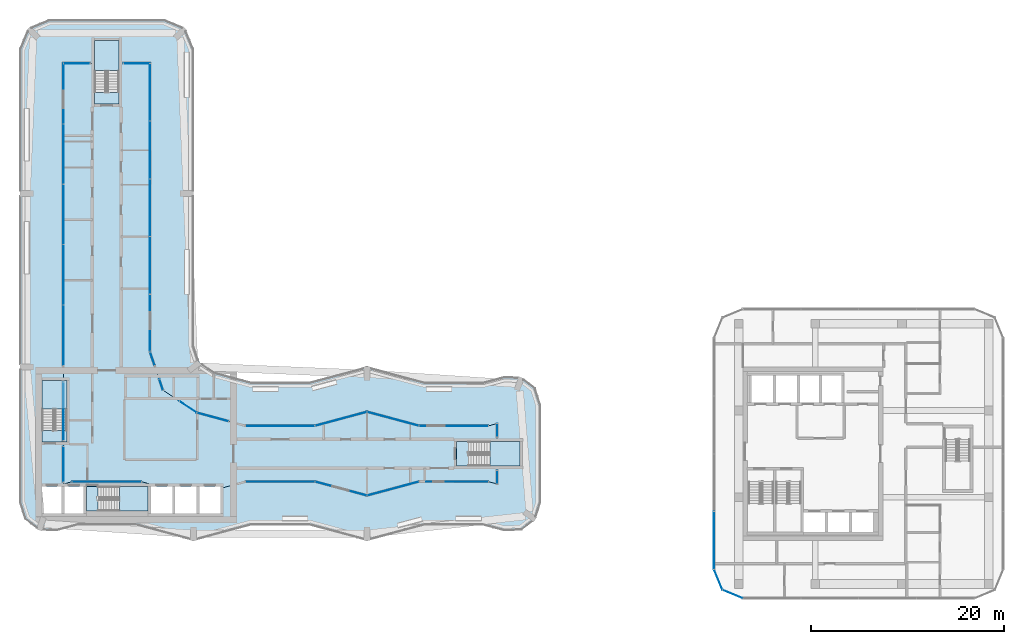
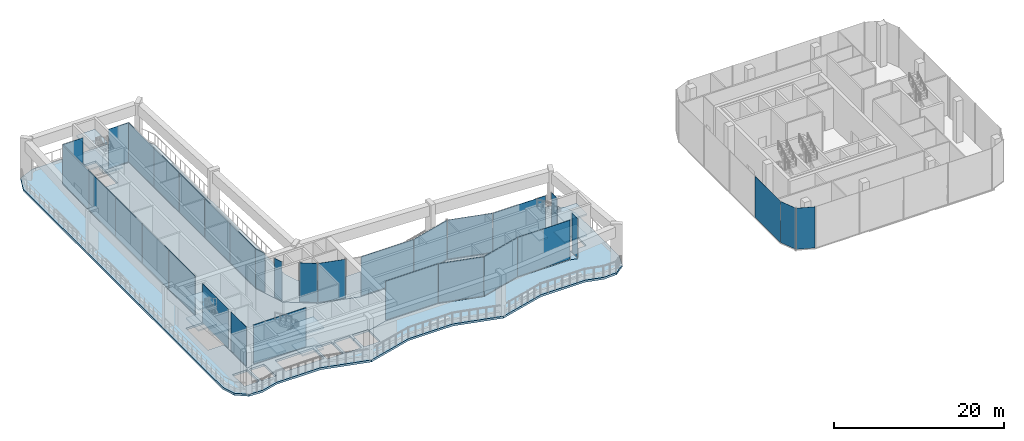
# One storey, part 12 of 24: 32 plates, 14 slabs, 28 elements without a shape of their own.
"""IFC4 building model written with IfcOpenShell, lengths in metres."""

from ifc_helpers import new_model, si_unit, direction, frame, origin, origin_2d, place, context, subcontext, project, spatial, polyline, rectangle, outline, extrude, material, layer, layer_set, type_object, element, aggregate, save


model = new_model("IFC4")

# Units and contexts
model_context = context("Model", 3, precision=1e-05, world=origin(), true_north=direction((0.0, 1.0)))
body_context = subcontext(model_context, "Body", "Model", "MODEL_VIEW")
ifc_project = project(units=[si_unit("LENGTHUNIT", "METRE"), si_unit("AREAUNIT", "SQUARE_METRE"), si_unit("VOLUMEUNIT", "CUBIC_METRE"), si_unit("PLANEANGLEUNIT", "RADIAN"), si_unit("MASSUNIT", "GRAM", prefix="KILO")], contexts=[model_context])

# Site, building, storey
site_placement = place(None, origin())
site = spatial("IfcSite", under=ifc_project, at=site_placement, CompositionType="ELEMENT")
building_placement = place(site_placement, origin())
building = spatial("IfcBuilding", under=site, at=building_placement, Name="Plateau Cross Towers", CompositionType="ELEMENT")
storey_placement = place(building_placement, frame((0.0, 0.0, 72.300048828125)))
storey = spatial("IfcBuildingStorey", under=building, at=storey_placement, Name="L18", CompositionType="ELEMENT", Elevation=72.300048828125)

# Curtain wall, plate
ifc_material_1 = material(Name="Dark low-iron glass", Category="glass")
ifc_layer_1 = layer(ifc_material_1, 0.239990234375)
ifc_layer_set_1 = layer_set([ifc_layer_1], Name="Dark low-iron glass")
curtain_wall_type_1 = type_object("IfcCurtainWallType", Name="Curtain wall office unitised CW-F", PredefinedType="NOTDEFINED", material=ifc_layer_set_1)
curtain_wall_1_placement = place(storey_placement, origin())
curtain_wall_1 = element("IfcCurtainWall", 1, at=curtain_wall_1_placement, inside=storey, type_object=curtain_wall_type_1, Name="ENV/B/L18/B720_210", PredefinedType="NOTDEFINED")
ifc_layer_2 = layer(ifc_material_1, 0.028076171875)
ifc_layer_set_2 = layer_set([ifc_layer_2], Name="Dark low-iron glass")
plate_type_1 = type_object("IfcPlateType", Name="Glass panel 28 office unitised", PredefinedType="CURTAIN_PANEL", material=ifc_layer_set_2)
plate_1_placement = place(storey_placement, frame((72.0, 0.0, -0.18017578125), z_axis=(0.0, 0.0, 1.0), x_axis=(0.0, -1.0, 0.0)))
plate_1 = element("IfcPlate", 2, at=plate_1_placement, type_object=plate_type_1, Name="CW-F panel 4", PredefinedType="CURTAIN_PANEL", context=body_context, shape_type="SweptSolid", body=[
    extrude(rectangle(XDim=5.93994140625, YDim=0.028076171875, at=origin_2d()), origin(), (0.0, 0.0, 1.0), 5.929931640625),
])
aggregate(curtain_wall_1, [plate_1])

curtain_wall_2_placement = place(storey_placement, origin())
curtain_wall_2 = element("IfcCurtainWall", 3, at=curtain_wall_2_placement, inside=storey, type_object=curtain_wall_type_1, Name="ENV/B/L18/B720_-30", PredefinedType="NOTDEFINED")
plate_2_placement = place(storey_placement, frame((72.439453125, -4.060546875, -0.18017578125), z_axis=(0.0, 0.0, 1.0), x_axis=(0.382683612978, -0.923879457699, 0.0)))
plate_2 = element("IfcPlate", 4, at=plate_2_placement, type_object=plate_type_1, Name="CW-F panel 1", PredefinedType="CURTAIN_PANEL", context=body_context, shape_type="SweptSolid", body=[
    extrude(rectangle(XDim=2.236083984375, YDim=0.028076171875, at=origin_2d()), origin(), (0.0, 0.0, 1.0), 5.929931640625),
])
aggregate(curtain_wall_2, [plate_2])

curtain_wall_3_placement = place(storey_placement, origin())
curtain_wall_3 = element("IfcCurtainWall", 5, at=curtain_wall_3_placement, inside=storey, type_object=curtain_wall_type_1, Name="ENV/B/L18/B729_-51", PredefinedType="NOTDEFINED")
plate_3_placement = place(storey_placement, frame((73.939453125, -5.560546875, -0.18017578125), z_axis=(0.0, 0.0, 1.0), x_axis=(0.923879457699, -0.382683612978, 0.0)))
plate_3 = element("IfcPlate", 6, at=plate_3_placement, type_object=plate_type_1, Name="CW-F panel 1", PredefinedType="CURTAIN_PANEL", context=body_context, shape_type="SweptSolid", body=[
    extrude(rectangle(XDim=2.236083984375, YDim=0.028076171875, at=origin_2d()), origin(), (0.0, 0.0, 1.0), 5.929931640625),
])
aggregate(curtain_wall_3, [plate_3])

ifc_layer_3 = layer(ifc_material_1, 0.239990234375)
ifc_layer_set_3 = layer_set([ifc_layer_3], Name="Dark low-iron glass")
curtain_wall_type_2 = type_object("IfcCurtainWallType", Name="Curtain wall flush unitised CW-B", PredefinedType="NOTDEFINED", material=ifc_layer_set_3)
curtain_wall_4_placement = place(storey_placement, origin())
curtain_wall_4 = element("IfcCurtainWall", 7, at=curtain_wall_4_placement, inside=storey, type_object=curtain_wall_type_2, Name="ENV/A/L18/inner0_45_60", PredefinedType="NOTDEFINED")
ifc_layer_4 = layer(ifc_material_1, 0.031982421875)
ifc_layer_set_4 = layer_set([ifc_layer_4], Name="Dark low-iron glass")
plate_type_2 = type_object("IfcPlateType", Name="Glass panel 32 flush unitised", PredefinedType="CURTAIN_PANEL", material=ifc_layer_set_4)
plate_4_placement = place(storey_placement, frame((4.5, 7.89990234375, 0.1201171875), z_axis=(0.0, 0.0, 1.0), x_axis=(0.0, 1.0, 0.0)))
plate_4 = element("IfcPlate", 8, at=plate_4_placement, type_object=plate_type_2, Name="CW-B panel 1", PredefinedType="CURTAIN_PANEL", context=body_context, shape_type="SweptSolid", body=[
    extrude(rectangle(XDim=3.639892578125, YDim=0.031982421875, at=origin_2d()), origin(), (0.0, 0.0, 1.0), 5.6298828125),
])
aggregate(curtain_wall_4, [plate_4])

curtain_wall_5_placement = place(storey_placement, origin())
curtain_wall_5 = element("IfcCurtainWall", 9, at=curtain_wall_5_placement, inside=storey, type_object=curtain_wall_type_2, Name="ENV/A/L18/inner0_45_104", PredefinedType="NOTDEFINED")
plate_5_placement = place(storey_placement, frame((4.5, 13.39990234375, 0.1201171875), z_axis=(0.0, 0.0, 1.0), x_axis=(0.0, 1.0, 0.0)))
plate_5 = element("IfcPlate", 10, at=plate_5_placement, type_object=plate_type_2, Name="CW-B panel 1", PredefinedType="CURTAIN_PANEL", context=body_context, shape_type="SweptSolid", body=[
    extrude(rectangle(XDim=6.0400390625, YDim=0.031982421875, at=origin_2d()), origin(), (0.0, 0.0, 1.0), 5.6298828125),
])
aggregate(curtain_wall_5, [plate_5])

# Curtain wall, plates
curtain_wall_6_placement = place(storey_placement, origin())
curtain_wall_6 = element("IfcCurtainWall", 11, at=curtain_wall_6_placement, inside=storey, type_object=curtain_wall_type_2, Name="ENV/A/L18/inner0_45_182", PredefinedType="NOTDEFINED")
plate_6_placement = place(storey_placement, frame((4.5, 21.284912109375, 0.1201171875), z_axis=(0.0, 0.0, 1.0), x_axis=(0.0, 1.0, 0.0)))
plate_6 = element("IfcPlate", 12, at=plate_6_placement, type_object=plate_type_2, Name="CW-B panel 1", PredefinedType="CURTAIN_PANEL", context=body_context, shape_type="SweptSolid", body=[
    extrude(rectangle(XDim=6.2099609375, YDim=0.031982421875, at=origin_2d()), origin(), (0.0, 0.0, 1.0), 5.6298828125),
])
plate_7_placement = place(storey_placement, frame((4.5, 27.554931640625, 0.1201171875), z_axis=(0.0, 0.0, 1.0), x_axis=(0.0, 1.0, 0.0)))
plate_7 = element("IfcPlate", 13, at=plate_7_placement, type_object=plate_type_2, Name="CW-B panel 2", PredefinedType="CURTAIN_PANEL", context=body_context, shape_type="SweptSolid", body=[
    extrude(rectangle(XDim=6.2099609375, YDim=0.031982421875, at=origin_2d()), origin(), (0.0, 0.0, 1.0), 5.6298828125),
])
plate_8_placement = place(storey_placement, frame((4.5, 33.824951171875, 0.1201171875), z_axis=(0.0, 0.0, 1.0), x_axis=(0.0, 1.0, 0.0)))
plate_8 = element("IfcPlate", 14, at=plate_8_placement, type_object=plate_type_2, Name="CW-B panel 3", PredefinedType="CURTAIN_PANEL", context=body_context, shape_type="SweptSolid", body=[
    extrude(rectangle(XDim=6.2099609375, YDim=0.031982421875, at=origin_2d()), origin(), (0.0, 0.0, 1.0), 5.6298828125),
])
plate_9_placement = place(storey_placement, frame((4.5, 40.094970703125, 0.1201171875), z_axis=(0.0, 0.0, 1.0), x_axis=(0.0, 1.0, 0.0)))
plate_9 = element("IfcPlate", 15, at=plate_9_placement, type_object=plate_type_2, Name="CW-B panel 4", PredefinedType="CURTAIN_PANEL", context=body_context, shape_type="SweptSolid", body=[
    extrude(rectangle(XDim=6.2099609375, YDim=0.031982421875, at=origin_2d()), origin(), (0.0, 0.0, 1.0), 5.6298828125),
])
plate_10_placement = place(storey_placement, frame((4.5, 46.364990234375, 0.1201171875), z_axis=(0.0, 0.0, 1.0), x_axis=(0.0, 1.0, 0.0)))
plate_10 = element("IfcPlate", 16, at=plate_10_placement, type_object=plate_type_2, Name="CW-B panel 5", PredefinedType="CURTAIN_PANEL", context=body_context, shape_type="SweptSolid", body=[
    extrude(rectangle(XDim=6.2099609375, YDim=0.031982421875, at=origin_2d()), origin(), (0.0, 0.0, 1.0), 5.6298828125),
])
aggregate(curtain_wall_6, [plate_6, plate_7, plate_8, plate_9, plate_10])

# Curtain wall, plate
curtain_wall_7_placement = place(storey_placement, origin())
curtain_wall_7 = element("IfcCurtainWall", 17, at=curtain_wall_7_placement, inside=storey, type_object=curtain_wall_type_2, Name="ENV/A/L18/inner0_45_495", PredefinedType="NOTDEFINED")
plate_11_placement = place(storey_placement, frame((5.887451171875, 49.5, 0.1201171875), z_axis=(0.0, 0.0, 1.0), x_axis=(1.0, 0.0, 0.0)))
plate_11 = element("IfcPlate", 18, at=plate_11_placement, type_object=plate_type_2, Name="CW-B panel 1", PredefinedType="CURTAIN_PANEL", context=body_context, shape_type="SweptSolid", body=[
    extrude(rectangle(XDim=2.715087890625, YDim=0.031982421875, at=origin_2d()), origin(), (0.0, 0.0, 1.0), 5.6298828125),
])
aggregate(curtain_wall_7, [plate_11])

curtain_wall_8_placement = place(storey_placement, origin())
curtain_wall_8 = element("IfcCurtainWall", 19, at=curtain_wall_8_placement, inside=storey, type_object=curtain_wall_type_2, Name="ENV/A/L18/inner0_107_495", PredefinedType="NOTDEFINED")
plate_12_placement = place(storey_placement, frame((12.112548828125, 49.5, 0.1201171875), z_axis=(0.0, 0.0, 1.0), x_axis=(1.0, 0.0, 0.0)))
plate_12 = element("IfcPlate", 20, at=plate_12_placement, type_object=plate_type_2, Name="CW-B panel 1", PredefinedType="CURTAIN_PANEL", context=body_context, shape_type="SweptSolid", body=[
    extrude(rectangle(XDim=2.715087890625, YDim=0.031982421875, at=origin_2d()), origin(), (0.0, 0.0, 1.0), 5.6298828125),
])
aggregate(curtain_wall_8, [plate_12])

# Curtain wall, plates
curtain_wall_9_placement = place(storey_placement, origin())
curtain_wall_9 = element("IfcCurtainWall", 21, at=curtain_wall_9_placement, inside=storey, type_object=curtain_wall_type_2, Name="ENV/A/L18/inner0_135_495", PredefinedType="NOTDEFINED")
plate_13_placement = place(storey_placement, frame((13.5, 46.505859375, 0.1201171875), z_axis=(0.0, 0.0, 1.0), x_axis=(0.0, -1.0, 0.0)))
plate_13 = element("IfcPlate", 22, at=plate_13_placement, type_object=plate_type_2, Name="CW-B panel 1", PredefinedType="CURTAIN_PANEL", context=body_context, shape_type="SweptSolid", body=[
    extrude(rectangle(XDim=5.92822265625, YDim=0.031982421875, at=origin_2d()), origin(), (0.0, 0.0, 1.0), 5.6298828125),
])
plate_14_placement = place(storey_placement, frame((13.5, 40.517822265625, 0.1201171875), z_axis=(0.0, 0.0, 1.0), x_axis=(0.0, -1.0, 0.0)))
plate_14 = element("IfcPlate", 23, at=plate_14_placement, type_object=plate_type_2, Name="CW-B panel 2", PredefinedType="CURTAIN_PANEL", context=body_context, shape_type="SweptSolid", body=[
    extrude(rectangle(XDim=5.92822265625, YDim=0.031982421875, at=origin_2d()), origin(), (0.0, 0.0, 1.0), 5.6298828125),
])
plate_15_placement = place(storey_placement, frame((13.5, 34.529541015625, 0.1201171875), z_axis=(0.0, 0.0, 1.0), x_axis=(0.0, -1.0, 0.0)))
plate_15 = element("IfcPlate", 24, at=plate_15_placement, type_object=plate_type_2, Name="CW-B panel 3", PredefinedType="CURTAIN_PANEL", context=body_context, shape_type="SweptSolid", body=[
    extrude(rectangle(XDim=5.92822265625, YDim=0.031982421875, at=origin_2d()), origin(), (0.0, 0.0, 1.0), 5.6298828125),
])
plate_16_placement = place(storey_placement, frame((13.5, 28.54150390625, 0.1201171875), z_axis=(0.0, 0.0, 1.0), x_axis=(0.0, -1.0, 0.0)))
plate_16 = element("IfcPlate", 25, at=plate_16_placement, type_object=plate_type_2, Name="CW-B panel 4", PredefinedType="CURTAIN_PANEL", context=body_context, shape_type="SweptSolid", body=[
    extrude(rectangle(XDim=5.92822265625, YDim=0.031982421875, at=origin_2d()), origin(), (0.0, 0.0, 1.0), 5.6298828125),
])
plate_17_placement = place(storey_placement, frame((13.5, 22.55322265625, 0.1201171875), z_axis=(0.0, 0.0, 1.0), x_axis=(0.0, -1.0, 0.0)))
plate_17 = element("IfcPlate", 26, at=plate_17_placement, type_object=plate_type_2, Name="CW-B panel 5", PredefinedType="CURTAIN_PANEL", context=body_context, shape_type="SweptSolid", body=[
    extrude(rectangle(XDim=5.92822265625, YDim=0.031982421875, at=origin_2d()), origin(), (0.0, 0.0, 1.0), 5.6298828125),
])
aggregate(curtain_wall_9, [plate_13, plate_14, plate_15, plate_16, plate_17])

# Curtain wall, plate
curtain_wall_10_placement = place(storey_placement, origin())
curtain_wall_10 = element("IfcCurtainWall", 27, at=curtain_wall_10_placement, inside=storey, type_object=curtain_wall_type_2, Name="ENV/A/L18/inner0_135_196", PredefinedType="NOTDEFINED")
plate_18_placement = place(storey_placement, frame((13.739501953125, 18.853759765625, 0.1201171875), z_axis=(0.0, 0.0, 1.0), x_axis=(0.321469161574, -0.94692004845, 0.0)))
plate_18 = element("IfcPlate", 28, at=plate_18_placement, type_object=plate_type_2, Name="CW-B panel 1", PredefinedType="CURTAIN_PANEL", context=body_context, shape_type="SweptSolid", body=[
    extrude(rectangle(XDim=1.429931640625, YDim=0.031982421875, at=origin_2d()), origin(), (0.0, 0.0, 1.0), 5.6298828125),
])
aggregate(curtain_wall_10, [plate_18])

curtain_wall_11_placement = place(storey_placement, origin())
curtain_wall_11 = element("IfcCurtainWall", 29, at=curtain_wall_11_placement, inside=storey, type_object=curtain_wall_type_2, Name="ENV/A/L18/inner0_145_168", PredefinedType="NOTDEFINED")
plate_19_placement = place(storey_placement, frame((14.651611328125, 16.1669921875, 0.1201171875), z_axis=(0.0, 0.0, 1.0), x_axis=(0.321469161574, -0.94692004845, 0.0)))
plate_19 = element("IfcPlate", 30, at=plate_19_placement, type_object=plate_type_2, Name="CW-B panel 1", PredefinedType="CURTAIN_PANEL", context=body_context, shape_type="SweptSolid", body=[
    extrude(rectangle(XDim=1.174560546875, YDim=0.031982421875, at=origin_2d()), origin(), (0.0, 0.0, 1.0), 5.6298828125),
])
aggregate(curtain_wall_11, [plate_19])

curtain_wall_12_placement = place(storey_placement, origin())
curtain_wall_12 = element("IfcCurtainWall", 31, at=curtain_wall_12_placement, inside=storey, type_object=curtain_wall_type_2, Name="ENV/A/L18/inner0_165_145", PredefinedType="NOTDEFINED")
plate_20_placement = place(storey_placement, frame((17.433837890625, 13.856689453125, 0.1201171875), z_axis=(0.0, 0.0, 1.0), x_axis=(0.831521253329, -0.555492938984, 0.0)))
plate_20 = element("IfcPlate", 32, at=plate_20_placement, type_object=plate_type_2, Name="CW-B panel 1", PredefinedType="CURTAIN_PANEL", context=body_context, shape_type="SweptSolid", body=[
    extrude(rectangle(XDim=2.12451171875, YDim=0.031982421875, at=origin_2d()), origin(), (0.0, 0.0, 1.0), 5.6298828125),
])
aggregate(curtain_wall_12, [plate_20])

curtain_wall_13_placement = place(storey_placement, origin())
curtain_wall_13 = element("IfcCurtainWall", 33, at=curtain_wall_13_placement, inside=storey, type_object=curtain_wall_type_2, Name="ENV/A/L18/inner0_183_132", PredefinedType="NOTDEFINED")
plate_21_placement = place(storey_placement, frame((19.99658203125, 12.806640625, 0.1201171875), z_axis=(0.0, 0.0, 1.0), x_axis=(0.965957995816, -0.258698956933, 0.0)))
plate_21 = element("IfcPlate", 34, at=plate_21_placement, type_object=plate_type_2, Name="CW-B panel 1", PredefinedType="CURTAIN_PANEL", context=body_context, shape_type="SweptSolid", body=[
    extrude(rectangle(XDim=3.36572265625, YDim=0.031982421875, at=origin_2d()), origin(), (0.0, 0.0, 1.0), 5.6298828125),
])
aggregate(curtain_wall_13, [plate_21])

curtain_wall_14_placement = place(storey_placement, origin())
curtain_wall_14 = element("IfcCurtainWall", 35, at=curtain_wall_14_placement, inside=storey, type_object=curtain_wall_type_2, Name="ENV/A/L18/inner0_234_119", PredefinedType="NOTDEFINED")
plate_22_placement = place(storey_placement, frame((27.0, 11.89306640625, 0.1201171875), z_axis=(0.0, 0.0, 1.0), x_axis=(1.0, 0.0, 0.0)))
plate_22 = element("IfcPlate", 36, at=plate_22_placement, type_object=plate_type_2, Name="CW-B panel 1", PredefinedType="CURTAIN_PANEL", context=body_context, shape_type="SweptSolid", body=[
    extrude(rectangle(XDim=7.124267578125, YDim=0.031982421875, at=origin_2d()), origin(), (0.0, 0.0, 1.0), 5.6298828125),
])
aggregate(curtain_wall_14, [plate_22])

curtain_wall_15_placement = place(storey_placement, origin())
curtain_wall_15 = element("IfcCurtainWall", 37, at=curtain_wall_15_placement, inside=storey, type_object=curtain_wall_type_2, Name="ENV/A/L18/inner0_306_119", PredefinedType="NOTDEFINED")
plate_23_placement = place(storey_placement, frame((33.296142578125, 12.6171875, 0.1201171875), z_axis=(0.0, 0.0, 1.0), x_axis=(0.965957983404, 0.258699003279, 0.0)))
plate_23 = element("IfcPlate", 38, at=plate_23_placement, type_object=plate_type_2, Name="CW-B panel 1", PredefinedType="CURTAIN_PANEL", context=body_context, shape_type="SweptSolid", body=[
    extrude(rectangle(XDim=5.538330078125, YDim=0.031982421875, at=origin_2d()), origin(), (0.0, 0.0, 1.0), 5.6298828125),
])
aggregate(curtain_wall_15, [plate_23])

curtain_wall_16_placement = place(storey_placement, origin())
curtain_wall_16 = element("IfcCurtainWall", 39, at=curtain_wall_16_placement, inside=storey, type_object=curtain_wall_type_2, Name="ENV/A/L18/inner0_360_133", PredefinedType="NOTDEFINED")
plate_24_placement = place(storey_placement, frame((38.703857421875, 12.6171875, 0.1201171875), z_axis=(0.0, 0.0, 1.0), x_axis=(0.965957983404, -0.258699003279, 0.0)))
plate_24 = element("IfcPlate", 40, at=plate_24_placement, type_object=plate_type_2, Name="CW-B panel 1", PredefinedType="CURTAIN_PANEL", context=body_context, shape_type="SweptSolid", body=[
    extrude(rectangle(XDim=5.538330078125, YDim=0.031982421875, at=origin_2d()), origin(), (0.0, 0.0, 1.0), 5.6298828125),
])
aggregate(curtain_wall_16, [plate_24])

curtain_wall_17_placement = place(storey_placement, origin())
curtain_wall_17 = element("IfcCurtainWall", 41, at=curtain_wall_17_placement, inside=storey, type_object=curtain_wall_type_2, Name="ENV/A/L18/inner0_414_119", PredefinedType="NOTDEFINED")
plate_25_placement = place(storey_placement, frame((45.0, 11.89306640625, 0.1201171875), z_axis=(0.0, 0.0, 1.0), x_axis=(1.0, 0.0, 0.0)))
plate_25 = element("IfcPlate", 42, at=plate_25_placement, type_object=plate_type_2, Name="CW-B panel 1", PredefinedType="CURTAIN_PANEL", context=body_context, shape_type="SweptSolid", body=[
    extrude(rectangle(XDim=7.124267578125, YDim=0.031982421875, at=origin_2d()), origin(), (0.0, 0.0, 1.0), 5.6298828125),
])
aggregate(curtain_wall_17, [plate_25])

curtain_wall_18_placement = place(storey_placement, origin())
curtain_wall_18 = element("IfcCurtainWall", 43, at=curtain_wall_18_placement, inside=storey, type_object=curtain_wall_type_2, Name="ENV/A/L18/inner0_495_121", PredefinedType="NOTDEFINED")
plate_26_placement = place(storey_placement, frame((49.5, 11.4306640625, 0.1201171875), z_axis=(0.0, 0.0, 1.0), x_axis=(0.0, -1.0, 0.0)))
plate_26 = element("IfcPlate", 44, at=plate_26_placement, type_object=plate_type_2, Name="CW-B panel 1", PredefinedType="CURTAIN_PANEL", context=body_context, shape_type="SweptSolid", body=[
    extrude(rectangle(XDim=1.351318359375, YDim=0.031982421875, at=origin_2d()), origin(), (0.0, 0.0, 1.0), 5.6298828125),
])
aggregate(curtain_wall_18, [plate_26])

curtain_wall_19_placement = place(storey_placement, origin())
curtain_wall_19 = element("IfcCurtainWall", 45, at=curtain_wall_19_placement, inside=storey, type_object=curtain_wall_type_2, Name="ENV/A/L18/inner0_495_73", PredefinedType="NOTDEFINED")
plate_27_placement = place(storey_placement, frame((49.5, 6.5693359375, 0.1201171875), z_axis=(0.0, 0.0, 1.0), x_axis=(0.0, -1.0, 0.0)))
plate_27 = element("IfcPlate", 46, at=plate_27_placement, type_object=plate_type_2, Name="CW-B panel 1", PredefinedType="CURTAIN_PANEL", context=body_context, shape_type="SweptSolid", body=[
    extrude(rectangle(XDim=1.351318359375, YDim=0.031982421875, at=origin_2d()), origin(), (0.0, 0.0, 1.0), 5.6298828125),
])
aggregate(curtain_wall_19, [plate_27])

curtain_wall_20_placement = place(storey_placement, origin())
curtain_wall_20 = element("IfcCurtainWall", 47, at=curtain_wall_20_placement, inside=storey, type_object=curtain_wall_type_2, Name="ENV/A/L18/inner0_486_61", PredefinedType="NOTDEFINED")
plate_28_placement = place(storey_placement, frame((45.0, 6.10693359375, 0.1201171875), z_axis=(0.0, 0.0, 1.0), x_axis=(-1.0, 0.0, 0.0)))
plate_28 = element("IfcPlate", 48, at=plate_28_placement, type_object=plate_type_2, Name="CW-B panel 1", PredefinedType="CURTAIN_PANEL", context=body_context, shape_type="SweptSolid", body=[
    extrude(rectangle(XDim=7.124267578125, YDim=0.031982421875, at=origin_2d()), origin(), (0.0, 0.0, 1.0), 5.6298828125),
])
aggregate(curtain_wall_20, [plate_28])

curtain_wall_21_placement = place(storey_placement, origin())
curtain_wall_21 = element("IfcCurtainWall", 49, at=curtain_wall_21_placement, inside=storey, type_object=curtain_wall_type_2, Name="ENV/A/L18/inner0_414_61", PredefinedType="NOTDEFINED")
plate_29_placement = place(storey_placement, frame((38.703857421875, 5.3828125, 0.1201171875), z_axis=(0.0, 0.0, 1.0), x_axis=(-0.965957983404, -0.258699003279, 0.0)))
plate_29 = element("IfcPlate", 50, at=plate_29_placement, type_object=plate_type_2, Name="CW-B panel 1", PredefinedType="CURTAIN_PANEL", context=body_context, shape_type="SweptSolid", body=[
    extrude(rectangle(XDim=5.538330078125, YDim=0.031982421875, at=origin_2d()), origin(), (0.0, 0.0, 1.0), 5.6298828125),
])
aggregate(curtain_wall_21, [plate_29])

curtain_wall_22_placement = place(storey_placement, origin())
curtain_wall_22 = element("IfcCurtainWall", 51, at=curtain_wall_22_placement, inside=storey, type_object=curtain_wall_type_2, Name="ENV/A/L18/inner0_360_47", PredefinedType="NOTDEFINED")
plate_30_placement = place(storey_placement, frame((33.296142578125, 5.3828125, 0.1201171875), z_axis=(0.0, 0.0, 1.0), x_axis=(-0.965957983404, 0.258699003279, 0.0)))
plate_30 = element("IfcPlate", 52, at=plate_30_placement, type_object=plate_type_2, Name="CW-B panel 1", PredefinedType="CURTAIN_PANEL", context=body_context, shape_type="SweptSolid", body=[
    extrude(rectangle(XDim=5.538330078125, YDim=0.031982421875, at=origin_2d()), origin(), (0.0, 0.0, 1.0), 5.6298828125),
])
aggregate(curtain_wall_22, [plate_30])

curtain_wall_23_placement = place(storey_placement, origin())
curtain_wall_23 = element("IfcCurtainWall", 53, at=curtain_wall_23_placement, inside=storey, type_object=curtain_wall_type_2, Name="ENV/A/L18/inner0_306_61", PredefinedType="NOTDEFINED")
plate_31_placement = place(storey_placement, frame((27.0, 6.10693359375, 0.1201171875), z_axis=(0.0, 0.0, 1.0), x_axis=(-1.0, 0.0, 0.0)))
plate_31 = element("IfcPlate", 54, at=plate_31_placement, type_object=plate_type_2, Name="CW-B panel 1", PredefinedType="CURTAIN_PANEL", context=body_context, shape_type="SweptSolid", body=[
    extrude(rectangle(XDim=7.124267578125, YDim=0.031982421875, at=origin_2d()), origin(), (0.0, 0.0, 1.0), 5.6298828125),
])
aggregate(curtain_wall_23, [plate_31])

curtain_wall_24_placement = place(storey_placement, origin())
curtain_wall_24 = element("IfcCurtainWall", 55, at=curtain_wall_24_placement, inside=storey, type_object=curtain_wall_type_2, Name="ENV/A/L18/inner0_126_61", PredefinedType="NOTDEFINED")
plate_32_placement = place(storey_placement, frame((9.0, 6.10693359375, 0.1201171875), z_axis=(0.0, 0.0, 1.0), x_axis=(-1.0, 0.0, 0.0)))
plate_32 = element("IfcPlate", 56, at=plate_32_placement, type_object=plate_type_2, Name="CW-B panel 1", PredefinedType="CURTAIN_PANEL", context=body_context, shape_type="SweptSolid", body=[
    extrude(rectangle(XDim=7.124267578125, YDim=0.031982421875, at=origin_2d()), origin(), (0.0, 0.0, 1.0), 5.6298828125),
])
aggregate(curtain_wall_24, [plate_32])

# Slabs
ifc_material_2 = material(Name="Concrete C40/50", Category="concrete")
ifc_layer_5 = layer(ifc_material_2, 0.300048828125)
ifc_layer_set_5 = layer_set([ifc_layer_5], Name="Concrete C40/50")
slab_type_1 = type_object("IfcSlabType", Name="Post-tensioned deck slab 300", PredefinedType="FLOOR", material=ifc_layer_set_5)
slab_1_placement = place(storey_placement, frame((0.0, 0.0, -0.300048828125)))
element("IfcSlab", 57, at=slab_1_placement, inside=storey, type_object=slab_type_1, Name="SL-A-L18-WK", PredefinedType="FLOOR", context=body_context, shape_type="SweptSolid", body=[
    extrude(outline(polyline([(0.54248046875, 2.1884765625), (0.0, 3.9091796875), (0.0, 51.0), (0.878662109375, 53.121337890625), (3.0, 54.0), (15.0, 54.0), (17.121337890625, 53.121337890625), (18.0, 51.0), (18.0, 20.30224609375), (18.6201171875, 18.475830078125), (20.223876953125, 17.404296875), (24.0, 16.39306640625), (30.0, 16.39306640625), (36.0, 18.0), (42.0, 16.39306640625), (48.0, 16.39306640625), (50.223876953125, 16.98876953125), (52.0263671875, 16.909912109375), (53.45751953125, 15.8115234375), (54.0, 14.0908203125), (54.0, 3.9091796875), (53.45751953125, 2.1884765625), (52.0263671875, 1.090087890625), (50.223876953125, 1.01123046875), (48.0, 1.60693359375), (42.0, 1.60693359375), (36.0, 0.0), (30.0, 1.60693359375), (24.0, 1.60693359375), (18.0, 0.0), (12.0, 1.60693359375), (6.0, 1.60693359375), (3.776123046875, 1.01123046875), (1.9736328125, 1.090087890625), (0.54248046875, 2.1884765625)]), holes=[polyline([(4.300048828125, 5.60009765625), (2.300048828125, 5.60009765625), (2.300048828125, 2.800048828125), (4.300048828125, 2.800048828125), (4.300048828125, 5.60009765625)]), polyline([(6.60009765625, 5.60009765625), (4.60009765625, 5.60009765625), (4.60009765625, 2.800048828125), (6.60009765625, 2.800048828125), (6.60009765625, 5.60009765625)]), polyline([(15.800048828125, 5.247802734375), (16.10009765625, 5.16748046875), (16.10009765625, 2.800048828125), (18.300048828125, 2.800048828125), (18.300048828125, 4.739013671875), (18.60009765625, 4.8193359375), (18.60009765625, 2.800048828125), (20.800048828125, 2.800048828125), (20.800048828125, 5.408447265625), (23.407958984375, 6.10693359375), (30.592041015625, 6.10693359375), (36.0, 4.65869140625), (41.407958984375, 6.10693359375), (48.592041015625, 6.10693359375), (49.5, 5.86376953125), (49.5, 7.72509765625), (51.699951171875, 7.72509765625), (51.699951171875, 10.27490234375), (49.5, 10.27490234375), (49.5, 12.13623046875), (48.592041015625, 11.89306640625), (41.407958984375, 11.89306640625), (36.0, 13.34130859375), (30.592041015625, 11.89306640625), (23.407958984375, 11.89306640625), (18.342041015625, 13.249755859375), (14.85009765625, 15.58251953125), (13.5, 19.559326171875), (13.5, 49.5), (10.27490234375, 49.5), (10.27490234375, 51.699951171875), (7.72509765625, 51.699951171875), (7.72509765625, 49.5), (4.5, 49.5), (4.5, 16.60009765625), (2.300048828125, 16.60009765625), (2.300048828125, 11.39990234375), (4.5, 11.39990234375), (4.5, 5.86376953125), (5.407958984375, 6.10693359375), (12.592041015625, 6.10693359375), (14.48486328125, 5.60009765625), (13.60009765625, 5.60009765625), (13.60009765625, 2.800048828125), (15.800048828125, 2.800048828125), (15.800048828125, 5.247802734375)]), polyline([(13.300048828125, 5.60009765625), (8.10009765625, 5.60009765625), (8.10009765625, 3.050048828125), (13.300048828125, 3.050048828125), (13.300048828125, 5.60009765625)])]), origin(), (0.0, 0.0, 1.0), 0.300048828125),
])
ifc_layer_6 = layer(ifc_material_2, 0.300048828125)
ifc_layer_set_6 = layer_set([ifc_layer_6], Name="Concrete C40/50")
slab_type_2 = type_object("IfcSlabType", Name="Post-tensioned flat plate slab 300", PredefinedType="FLOOR", material=ifc_layer_set_6)
slab_2_placement = place(storey_placement, frame((0.0, 0.0, -0.300048828125)))
element("IfcSlab", 58, at=slab_2_placement, inside=storey, type_object=slab_type_2, Name="SL-A-L18", PredefinedType="FLOOR", context=body_context, shape_type="SweptSolid", body=[
    extrude(outline(polyline([(15.800048828125, 5.60009765625), (14.48486328125, 5.60009765625), (12.592041015625, 6.10693359375), (5.407958984375, 6.10693359375), (4.5, 5.86376953125), (4.5, 11.39990234375), (4.85009765625, 11.39990234375), (4.85009765625, 16.60009765625), (4.5, 16.60009765625), (4.5, 49.5), (7.72509765625, 49.5), (7.72509765625, 46.5), (10.27490234375, 46.5), (10.27490234375, 49.5), (13.5, 49.5), (13.5, 19.559326171875), (14.85009765625, 15.58251953125), (18.342041015625, 13.249755859375), (23.407958984375, 11.89306640625), (30.592041015625, 11.89306640625), (36.0, 13.34130859375), (41.407958984375, 11.89306640625), (48.592041015625, 11.89306640625), (49.5, 12.13623046875), (49.5, 10.27490234375), (46.5, 10.27490234375), (46.5, 7.72509765625), (49.5, 7.72509765625), (49.5, 5.86376953125), (48.592041015625, 6.10693359375), (41.407958984375, 6.10693359375), (36.0, 4.65869140625), (30.592041015625, 6.10693359375), (23.407958984375, 6.10693359375), (20.800048828125, 5.408447265625), (20.800048828125, 5.60009765625), (18.60009765625, 5.60009765625), (18.60009765625, 4.8193359375), (18.300048828125, 4.739013671875), (18.300048828125, 5.60009765625), (16.10009765625, 5.60009765625), (16.10009765625, 5.16748046875), (15.800048828125, 5.247802734375), (15.800048828125, 5.60009765625)])), origin(), (0.0, 0.0, 1.0), 0.300048828125),
])

# Stair, slabs
stair_type = type_object("IfcStairType", Name="ST-TWR", PredefinedType="HALF_TURN_STAIR", material=ifc_material_2)
stair_1_placement = place(storey_placement, origin())
stair_1 = element("IfcStair", 59, at=stair_1_placement, inside=storey, type_object=stair_type, Name="L18 Protected Exit Stair ST-1", PredefinedType="HALF_TURN_STAIR")
ifc_layer_7 = layer(ifc_material_2, 0.199951171875)
ifc_layer_set_7 = layer_set([ifc_layer_7], Name="Concrete C40/50")
slab_type_3 = type_object("IfcSlabType", Name="SL-LANDING", PredefinedType="LANDING", material=ifc_layer_set_7)
slab_3_placement = place(storey_placement, frame((0.0, 0.0, 1.300048828125)))
slab_3 = element("IfcSlab", 60, at=slab_3_placement, type_object=slab_type_3, Name="ST-1 landing 1", PredefinedType="LANDING", context=body_context, shape_type="SweptSolid", body=[
    extrude(outline(polyline([(4.85009765625, 13.639892578125), (4.85009765625, 16.60009765625), (2.300048828125, 16.60009765625), (2.300048828125, 13.639892578125), (4.85009765625, 13.639892578125)])), origin(), (0.0, 0.0, 1.0), 0.199951171875),
])
slab_4_placement = place(storey_placement, frame((0.0, 0.0, 2.800048828125)))
slab_4 = element("IfcSlab", 61, at=slab_4_placement, type_object=slab_type_3, Name="ST-1 landing 2", PredefinedType="LANDING", context=body_context, shape_type="SweptSolid", body=[
    extrude(outline(polyline([(4.85009765625, 10.199951171875), (4.85009765625, 11.39990234375), (2.300048828125, 11.39990234375), (2.300048828125, 10.199951171875), (4.85009765625, 10.199951171875)])), origin(), (0.0, 0.0, 1.0), 0.199951171875),
])
slab_5_placement = place(storey_placement, frame((0.0, 0.0, 4.300048828125)))
slab_5 = element("IfcSlab", 62, at=slab_5_placement, type_object=slab_type_3, Name="ST-1 landing 3", PredefinedType="LANDING", context=body_context, shape_type="SweptSolid", body=[
    extrude(outline(polyline([(4.85009765625, 13.639892578125), (4.85009765625, 16.60009765625), (2.300048828125, 16.60009765625), (2.300048828125, 13.639892578125), (4.85009765625, 13.639892578125)])), origin(), (0.0, 0.0, 1.0), 0.199951171875),
])
aggregate(stair_1, [slab_3, slab_4, slab_5])

stair_2_placement = place(storey_placement, origin())
stair_2 = element("IfcStair", 63, at=stair_2_placement, inside=storey, type_object=stair_type, Name="L18 Protected Exit Stair ST-2", PredefinedType="HALF_TURN_STAIR")
slab_6_placement = place(storey_placement, frame((0.0, 0.0, 1.300048828125)))
slab_6 = element("IfcSlab", 64, at=slab_6_placement, type_object=slab_type_3, Name="ST-2 landing 1", PredefinedType="LANDING", context=body_context, shape_type="SweptSolid", body=[
    extrude(outline(polyline([(10.340087890625, 3.050048828125), (13.300048828125, 3.050048828125), (13.300048828125, 5.60009765625), (10.340087890625, 5.60009765625), (10.340087890625, 3.050048828125)])), origin(), (0.0, 0.0, 1.0), 0.199951171875),
])
slab_7_placement = place(storey_placement, frame((0.0, 0.0, 2.800048828125)))
slab_7 = element("IfcSlab", 65, at=slab_7_placement, type_object=slab_type_3, Name="ST-2 landing 2", PredefinedType="LANDING", context=body_context, shape_type="SweptSolid", body=[
    extrude(outline(polyline([(6.89990234375, 3.050048828125), (8.10009765625, 3.050048828125), (8.10009765625, 5.60009765625), (6.89990234375, 5.60009765625), (6.89990234375, 3.050048828125)])), origin(), (0.0, 0.0, 1.0), 0.199951171875),
])
slab_8_placement = place(storey_placement, frame((0.0, 0.0, 4.300048828125)))
slab_8 = element("IfcSlab", 66, at=slab_8_placement, type_object=slab_type_3, Name="ST-2 landing 3", PredefinedType="LANDING", context=body_context, shape_type="SweptSolid", body=[
    extrude(outline(polyline([(10.340087890625, 3.050048828125), (13.300048828125, 3.050048828125), (13.300048828125, 5.60009765625), (10.340087890625, 5.60009765625), (10.340087890625, 3.050048828125)])), origin(), (0.0, 0.0, 1.0), 0.199951171875),
])
aggregate(stair_2, [slab_6, slab_7, slab_8])

stair_3_placement = place(storey_placement, origin())
stair_3 = element("IfcStair", 67, at=stair_3_placement, inside=storey, type_object=stair_type, Name="L18 Protected Exit Stair E", PredefinedType="HALF_TURN_STAIR")
slab_9_placement = place(storey_placement, frame((0.0, 0.0, 1.300048828125)))
slab_9 = element("IfcSlab", 68, at=slab_9_placement, type_object=slab_type_3, Name="ES-E landing 1", PredefinedType="LANDING", context=body_context, shape_type="SweptSolid", body=[
    extrude(outline(polyline([(48.739990234375, 7.72509765625), (51.85009765625, 7.72509765625), (51.85009765625, 10.27490234375), (48.739990234375, 10.27490234375), (48.739990234375, 7.72509765625)])), origin(), (0.0, 0.0, 1.0), 0.199951171875),
])
slab_10_placement = place(storey_placement, frame((0.0, 0.0, 2.800048828125)))
slab_10 = element("IfcSlab", 69, at=slab_10_placement, type_object=slab_type_3, Name="ES-E landing 2", PredefinedType="LANDING", context=body_context, shape_type="SweptSolid", body=[
    extrude(outline(polyline([(45.300048828125, 7.72509765625), (46.5, 7.72509765625), (46.5, 10.27490234375), (45.300048828125, 10.27490234375), (45.300048828125, 7.72509765625)])), origin(), (0.0, 0.0, 1.0), 0.199951171875),
])
slab_11_placement = place(storey_placement, frame((0.0, 0.0, 4.300048828125)))
slab_11 = element("IfcSlab", 70, at=slab_11_placement, type_object=slab_type_3, Name="ES-E landing 3", PredefinedType="LANDING", context=body_context, shape_type="SweptSolid", body=[
    extrude(outline(polyline([(48.739990234375, 7.72509765625), (51.85009765625, 7.72509765625), (51.85009765625, 10.27490234375), (48.739990234375, 10.27490234375), (48.739990234375, 7.72509765625)])), origin(), (0.0, 0.0, 1.0), 0.199951171875),
])
aggregate(stair_3, [slab_9, slab_10, slab_11])

stair_4_placement = place(storey_placement, origin())
stair_4 = element("IfcStair", 71, at=stair_4_placement, inside=storey, type_object=stair_type, Name="L18 Protected Exit Stair N", PredefinedType="HALF_TURN_STAIR")
slab_12_placement = place(storey_placement, frame((0.0, 0.0, 1.300048828125)))
slab_12 = element("IfcSlab", 72, at=slab_12_placement, type_object=slab_type_3, Name="ES-N landing 1", PredefinedType="LANDING", context=body_context, shape_type="SweptSolid", body=[
    extrude(outline(polyline([(10.27490234375, 48.739990234375), (10.27490234375, 51.85009765625), (7.72509765625, 51.85009765625), (7.72509765625, 48.739990234375), (10.27490234375, 48.739990234375)])), origin(), (0.0, 0.0, 1.0), 0.199951171875),
])
slab_13_placement = place(storey_placement, frame((0.0, 0.0, 2.800048828125)))
slab_13 = element("IfcSlab", 73, at=slab_13_placement, type_object=slab_type_3, Name="ES-N landing 2", PredefinedType="LANDING", context=body_context, shape_type="SweptSolid", body=[
    extrude(outline(polyline([(10.27490234375, 45.300048828125), (10.27490234375, 46.5), (7.72509765625, 46.5), (7.72509765625, 45.300048828125), (10.27490234375, 45.300048828125)])), origin(), (0.0, 0.0, 1.0), 0.199951171875),
])
slab_14_placement = place(storey_placement, frame((0.0, 0.0, 4.300048828125)))
slab_14 = element("IfcSlab", 74, at=slab_14_placement, type_object=slab_type_3, Name="ES-N landing 3", PredefinedType="LANDING", context=body_context, shape_type="SweptSolid", body=[
    extrude(outline(polyline([(10.27490234375, 48.739990234375), (10.27490234375, 51.85009765625), (7.72509765625, 51.85009765625), (7.72509765625, 48.739990234375), (10.27490234375, 48.739990234375)])), origin(), (0.0, 0.0, 1.0), 0.199951171875),
])
aggregate(stair_4, [slab_12, slab_13, slab_14])

save(model, "model.ifc")
